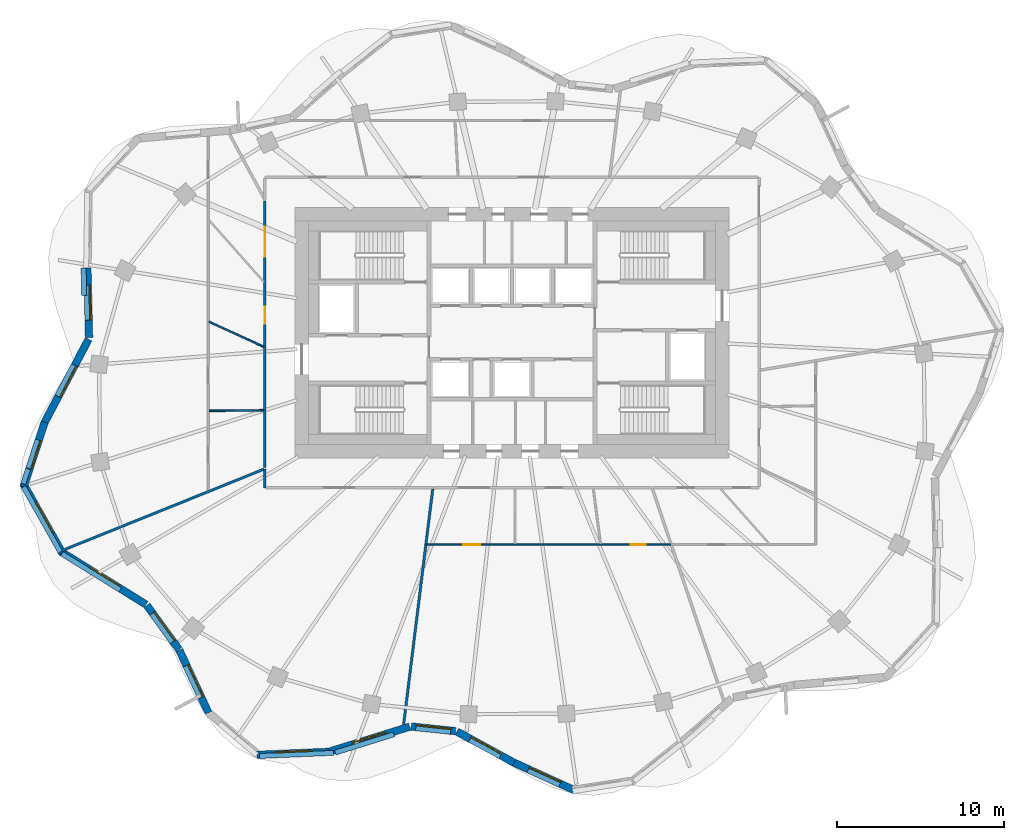
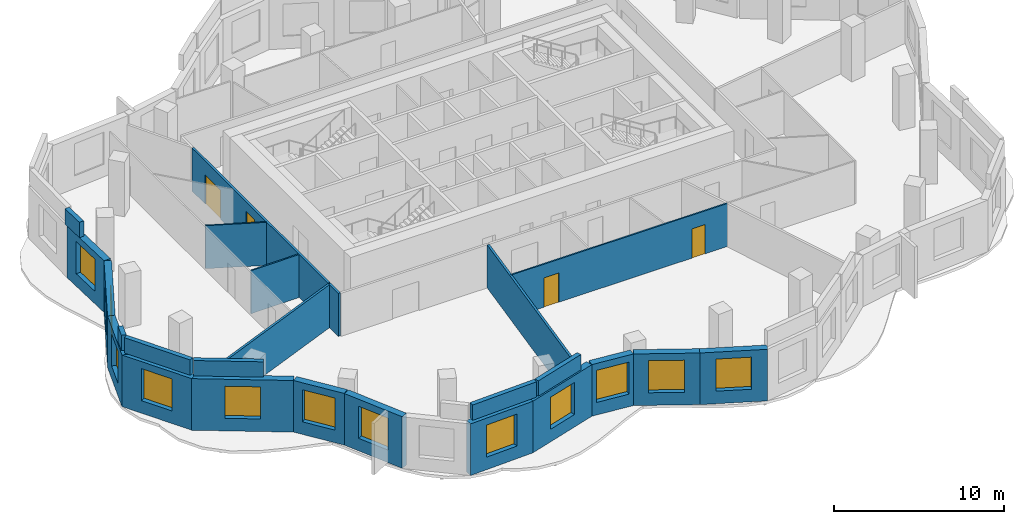
# One storey, part 3 of 9: 25 walls, 12 windows, 4 doors, 16 openings.
"""IFC4 building model written with IfcOpenShell, lengths in metres."""

from ifc_helpers import new_model, si_unit, direction, frame, frame_2d, origin, place, context, subcontext, project, spatial, rectangle, extrude, material, layer, layer_set, type_object, element, fill, save


model = new_model("IFC4")

# Units and contexts
model_context = context("Model", 3, precision=1e-05, world=origin(), true_north=direction((0.0, 1.0)))
body_context = subcontext(model_context, "Body", "Model", "MODEL_VIEW")
ifc_project = project(units=[si_unit("LENGTHUNIT", "METRE"), si_unit("AREAUNIT", "SQUARE_METRE"), si_unit("VOLUMEUNIT", "CUBIC_METRE"), si_unit("PLANEANGLEUNIT", "RADIAN"), si_unit("MASSUNIT", "GRAM", prefix="KILO")], contexts=[model_context])

# Site, building, storey
site_placement = place(None, origin())
site = spatial("IfcSite", under=ifc_project, at=site_placement, CompositionType="ELEMENT")
building_placement = place(site_placement, origin())
building = spatial("IfcBuilding", under=site, at=building_placement, Name="Rubra Terraces Tower", CompositionType="ELEMENT")
storey_placement = place(building_placement, frame((0.0, 0.0, 244.800048828125)))
storey = spatial("IfcBuildingStorey", under=building, at=storey_placement, Name="L60", CompositionType="ELEMENT", Elevation=244.800048828125)

# Wall, opening, window
ifc_material_1 = material(Name="Brick masonry red-brown", Category="masonry")
ifc_layer_1 = layer(ifc_material_1, 0.449951171875)
ifc_layer_set_1 = layer_set([ifc_layer_1], Name="Brick masonry red-brown")
wall_type_1 = type_object("IfcWallType", Name="Brick facade wall 450", PredefinedType="SOLIDWALL", material=ifc_layer_set_1)
wall_1_placement = place(storey_placement, frame((-25.44091796875, 8.375, 0.0), z_axis=(0.0, 0.0, 1.0), x_axis=(0.024385850259, -0.999702620936, 0.0)))
wall_1 = element("IfcWall", 1, at=wall_1_placement, inside=storey, type_object=wall_type_1, Name="Facade wall L60 bay 19", PredefinedType="SOLIDWALL", context=body_context, shape_type="SweptSolid", body=[
    extrude(rectangle(XDim=4.164794921875, YDim=0.449951171875, at=frame_2d((2.08251953125, 0.0))), origin(), (0.0, 0.0, 1.0), 3.699951171875),
])
opening_1_placement = place(wall_1_placement, frame((1.032470703125, 0.0, 0.89990234375)))
opening_1 = element("IfcOpeningElement", 2, at=opening_1_placement, cuts=wall_1, Name="Opening W1B", PredefinedType="OPENING", context=body_context, shape_type="SweptSolid", body=[
    extrude(rectangle(XDim=2.10009765625, YDim=2.300048828125, at=frame_2d((1.050048828125, 1.14990234375))), frame((0.0, 0.23486328125, 0.0), z_axis=(0.0, -1.0, 0.0), x_axis=(1.0, 0.0, 0.0)), (0.0, 0.0, 1.0), 0.469970703125),
])
ifc_material_2 = material(Name="Clear glass in aluminium frame", Category="aluminium")
window_type_1 = type_object("IfcWindowType", Name="Fixed deep-set window tall storey 2100 x 2300", PartitioningType="SINGLE_PANEL", PredefinedType="WINDOW", material=ifc_material_2)
window_1_placement = place(opening_1_placement, origin())
window_1 = element("IfcWindow", 3, at=window_1_placement, inside=storey, type_object=window_type_1, Name="Window L60 bay 19", OverallHeight=2.300048828125, OverallWidth=2.10009765625, PartitioningType="SINGLE_PANEL", PredefinedType="WINDOW", context=body_context, shape_type="SweptSolid", body=[
    extrude(rectangle(XDim=2.10009765625, YDim=2.300048828125, at=frame_2d((1.050048828125, 1.14990234375))), frame((0.0, 0.135009765625, 0.0), z_axis=(0.0, -1.0, 0.0), x_axis=(1.0, 0.0, 0.0)), (0.0, 0.0, 1.0), 0.06005859375),
])
fill(opening_1, window_1)

wall_2_placement = place(storey_placement, frame((-25.365478515625, 4.10693359375, 0.0), z_axis=(0.0, 0.0, 1.0), x_axis=(-0.467239399168, -0.884130840919, 0.0)))
wall_2 = element("IfcWall", 4, at=wall_2_placement, inside=storey, type_object=wall_type_1, Name="Facade wall L60 bay 20", PredefinedType="SOLIDWALL", context=body_context, shape_type="SweptSolid", body=[
    extrude(rectangle(XDim=5.658935546875, YDim=0.449951171875, at=frame_2d((2.82958984375, 0.0))), origin(), (0.0, 0.0, 1.0), 3.699951171875),
])
opening_2_placement = place(wall_2_placement, frame((1.779296875, 0.0, 0.89990234375)))
opening_2 = element("IfcOpeningElement", 5, at=opening_2_placement, cuts=wall_2, Name="Opening W1B", PredefinedType="OPENING", context=body_context, shape_type="SweptSolid", body=[
    extrude(rectangle(XDim=2.10009765625, YDim=2.300048828125, at=frame_2d((1.050048828125, 1.14990234375))), frame((0.0, 0.23486328125, 0.0), z_axis=(0.0, -1.0, 0.0), x_axis=(1.0, 0.0, 0.0)), (0.0, 0.0, 1.0), 0.469970703125),
])
window_2_placement = place(opening_2_placement, origin())
window_2 = element("IfcWindow", 6, at=window_2_placement, inside=storey, type_object=window_type_1, Name="Window L60 bay 20", OverallHeight=2.300048828125, OverallWidth=2.10009765625, PartitioningType="SINGLE_PANEL", PredefinedType="WINDOW", context=body_context, shape_type="SweptSolid", body=[
    extrude(rectangle(XDim=2.10009765625, YDim=2.300048828125, at=frame_2d((1.050048828125, 1.14990234375))), frame((0.0, 0.135009765625, 0.0), z_axis=(0.0, -1.0, 0.0), x_axis=(1.0, 0.0, 0.0)), (0.0, 0.0, 1.0), 0.06005859375),
])
fill(opening_2, window_2)

wall_3_placement = place(storey_placement, frame((-27.99462890625, -0.861083984375, 0.0), z_axis=(0.0, 0.0, 1.0), x_axis=(-0.310693110673, -0.950510279261, 0.0)))
wall_3 = element("IfcWall", 7, at=wall_3_placement, inside=storey, type_object=wall_type_1, Name="Facade wall L60 bay 21", PredefinedType="SOLIDWALL", context=body_context, shape_type="SweptSolid", body=[
    extrude(rectangle(XDim=4.079833984375, YDim=0.449951171875, at=frame_2d((2.0400390625, 0.0))), origin(), (0.0, 0.0, 1.0), 3.699951171875),
])
opening_3_placement = place(wall_3_placement, frame((1.139892578125, 0.0, 0.89990234375)))
opening_3 = element("IfcOpeningElement", 8, at=opening_3_placement, cuts=wall_3, Name="Opening W6B", PredefinedType="OPENING", context=body_context, shape_type="SweptSolid", body=[
    extrude(rectangle(XDim=1.800048828125, YDim=2.300048828125, at=frame_2d((0.89990234375, 1.14990234375))), frame((0.0, 0.23486328125, 0.0), z_axis=(0.0, -1.0, 0.0), x_axis=(1.0, 0.0, 0.0)), (0.0, 0.0, 1.0), 0.469970703125),
])
window_type_2 = type_object("IfcWindowType", Name="Fixed deep-set window at wind fin tall storey 1800 x 2300", PartitioningType="SINGLE_PANEL", PredefinedType="WINDOW", material=ifc_material_2)
window_3_placement = place(opening_3_placement, origin())
window_3 = element("IfcWindow", 9, at=window_3_placement, inside=storey, type_object=window_type_2, Name="Window L60 bay 21", OverallHeight=2.300048828125, OverallWidth=1.800048828125, PartitioningType="SINGLE_PANEL", PredefinedType="WINDOW", context=body_context, shape_type="SweptSolid", body=[
    extrude(rectangle(XDim=1.800048828125, YDim=2.300048828125, at=frame_2d((0.89990234375, 1.14990234375))), frame((0.0, 0.135009765625, 0.0), z_axis=(0.0, -1.0, 0.0), x_axis=(1.0, 0.0, 0.0)), (0.0, 0.0, 1.0), 0.06005859375),
])
fill(opening_3, window_3)

wall_4_placement = place(storey_placement, frame((-29.280029296875, -4.558349609375, 0.0), z_axis=(0.0, 0.0, 1.0), x_axis=(0.491511608999, -0.870871022723, 0.0)))
wall_4 = element("IfcWall", 10, at=wall_4_placement, inside=storey, type_object=wall_type_1, Name="Facade wall L60 bay 22", PredefinedType="SOLIDWALL", context=body_context, shape_type="SweptSolid", body=[
    extrude(rectangle(XDim=4.762939453125, YDim=0.449951171875, at=frame_2d((2.38134765625, 0.0))), origin(), (0.0, 0.0, 1.0), 3.699951171875),
])
opening_4_placement = place(wall_4_placement, frame((1.33154296875, 0.0, 0.89990234375)))
opening_4 = element("IfcOpeningElement", 11, at=opening_4_placement, cuts=wall_4, Name="Opening W1B", PredefinedType="OPENING", context=body_context, shape_type="SweptSolid", body=[
    extrude(rectangle(XDim=2.10009765625, YDim=2.300048828125, at=frame_2d((1.050048828125, 1.14990234375))), frame((0.0, 0.23486328125, 0.0), z_axis=(0.0, -1.0, 0.0), x_axis=(1.0, 0.0, 0.0)), (0.0, 0.0, 1.0), 0.469970703125),
])
window_4_placement = place(opening_4_placement, origin())
window_4 = element("IfcWindow", 12, at=window_4_placement, inside=storey, type_object=window_type_1, Name="Window L60 bay 22", OverallHeight=2.300048828125, OverallWidth=2.10009765625, PartitioningType="SINGLE_PANEL", PredefinedType="WINDOW", context=body_context, shape_type="SweptSolid", body=[
    extrude(rectangle(XDim=2.10009765625, YDim=2.300048828125, at=frame_2d((1.050048828125, 1.14990234375))), frame((0.0, 0.135009765625, 0.0), z_axis=(0.0, -1.0, 0.0), x_axis=(1.0, 0.0, 0.0)), (0.0, 0.0, 1.0), 0.06005859375),
])
fill(opening_4, window_4)

wall_5_placement = place(storey_placement, frame((-27.01611328125, -8.6259765625, 0.0), z_axis=(0.0, 0.0, 1.0), x_axis=(0.849198377377, -0.528073968172, 0.0)))
wall_5 = element("IfcWall", 13, at=wall_5_placement, inside=storey, type_object=wall_type_1, Name="Facade wall L60 bay 23", PredefinedType="SOLIDWALL", context=body_context, shape_type="SweptSolid", body=[
    extrude(rectangle(XDim=5.989501953125, YDim=0.449951171875, at=frame_2d((2.99462890625, 0.0))), origin(), (0.0, 0.0, 1.0), 3.699951171875),
])
opening_5_placement = place(wall_5_placement, frame((1.944580078125, 0.0, 0.89990234375)))
opening_5 = element("IfcOpeningElement", 14, at=opening_5_placement, cuts=wall_5, Name="Opening W1B", PredefinedType="OPENING", context=body_context, shape_type="SweptSolid", body=[
    extrude(rectangle(XDim=2.10009765625, YDim=2.300048828125, at=frame_2d((1.050048828125, 1.14990234375))), frame((0.0, 0.23486328125, 0.0), z_axis=(0.0, -1.0, 0.0), x_axis=(1.0, 0.0, 0.0)), (0.0, 0.0, 1.0), 0.469970703125),
])
window_5_placement = place(opening_5_placement, origin())
window_5 = element("IfcWindow", 15, at=window_5_placement, inside=storey, type_object=window_type_1, Name="Window L60 bay 23", OverallHeight=2.300048828125, OverallWidth=2.10009765625, PartitioningType="SINGLE_PANEL", PredefinedType="WINDOW", context=body_context, shape_type="SweptSolid", body=[
    extrude(rectangle(XDim=2.10009765625, YDim=2.300048828125, at=frame_2d((1.050048828125, 1.14990234375))), frame((0.0, 0.135009765625, 0.0), z_axis=(0.0, -1.0, 0.0), x_axis=(1.0, 0.0, 0.0)), (0.0, 0.0, 1.0), 0.06005859375),
])
fill(opening_5, window_5)

wall_6_placement = place(storey_placement, frame((-21.872314453125, -11.840576171875, 0.0), z_axis=(0.0, 0.0, 1.0), x_axis=(0.587562050363, -0.809179113036, 0.0)))
wall_6 = element("IfcWall", 16, at=wall_6_placement, inside=storey, type_object=wall_type_1, Name="Facade wall L60 bay 24", PredefinedType="SOLIDWALL", context=body_context, shape_type="SweptSolid", body=[
    extrude(rectangle(XDim=3.262939453125, YDim=0.449951171875, at=frame_2d((1.63134765625, 0.0))), origin(), (0.0, 0.0, 1.0), 3.699951171875),
])
opening_6_placement = place(wall_6_placement, frame((0.58154296875, 0.0, 0.89990234375)))
opening_6 = element("IfcOpeningElement", 17, at=opening_6_placement, cuts=wall_6, Name="Opening W1B", PredefinedType="OPENING", context=body_context, shape_type="SweptSolid", body=[
    extrude(rectangle(XDim=2.10009765625, YDim=2.300048828125, at=frame_2d((1.050048828125, 1.14990234375))), frame((0.0, 0.23486328125, 0.0), z_axis=(0.0, -1.0, 0.0), x_axis=(1.0, 0.0, 0.0)), (0.0, 0.0, 1.0), 0.469970703125),
])
window_6_placement = place(opening_6_placement, origin())
window_6 = element("IfcWindow", 18, at=window_6_placement, inside=storey, type_object=window_type_1, Name="Window L60 bay 24", OverallHeight=2.300048828125, OverallWidth=2.10009765625, PartitioningType="SINGLE_PANEL", PredefinedType="WINDOW", context=body_context, shape_type="SweptSolid", body=[
    extrude(rectangle(XDim=2.10009765625, YDim=2.300048828125, at=frame_2d((1.050048828125, 1.14990234375))), frame((0.0, 0.135009765625, 0.0), z_axis=(0.0, -1.0, 0.0), x_axis=(1.0, 0.0, 0.0)), (0.0, 0.0, 1.0), 0.06005859375),
])
fill(opening_6, window_6)

wall_7_placement = place(storey_placement, frame((-19.9306640625, -14.519287109375, 0.0), z_axis=(0.0, 0.0, 1.0), x_axis=(0.421138964136, -0.906996126169, 0.0)))
wall_7 = element("IfcWall", 19, at=wall_7_placement, inside=storey, type_object=wall_type_1, Name="Facade wall L60 bay 25", PredefinedType="SOLIDWALL", context=body_context, shape_type="SweptSolid", body=[
    extrude(rectangle(XDim=4.149658203125, YDim=0.449951171875, at=frame_2d((2.07470703125, 0.0))), origin(), (0.0, 0.0, 1.0), 3.699951171875),
])
opening_7_placement = place(wall_7_placement, frame((1.02490234375, 0.0, 0.89990234375)))
opening_7 = element("IfcOpeningElement", 20, at=opening_7_placement, cuts=wall_7, Name="Opening W1B", PredefinedType="OPENING", context=body_context, shape_type="SweptSolid", body=[
    extrude(rectangle(XDim=2.10009765625, YDim=2.300048828125, at=frame_2d((1.050048828125, 1.14990234375))), frame((0.0, 0.23486328125, 0.0), z_axis=(0.0, -1.0, 0.0), x_axis=(1.0, 0.0, 0.0)), (0.0, 0.0, 1.0), 0.469970703125),
])
window_7_placement = place(opening_7_placement, origin())
window_7 = element("IfcWindow", 21, at=window_7_placement, inside=storey, type_object=window_type_1, Name="Window L60 bay 25", OverallHeight=2.300048828125, OverallWidth=2.10009765625, PartitioningType="SINGLE_PANEL", PredefinedType="WINDOW", context=body_context, shape_type="SweptSolid", body=[
    extrude(rectangle(XDim=2.10009765625, YDim=2.300048828125, at=frame_2d((1.050048828125, 1.14990234375))), frame((0.0, 0.135009765625, 0.0), z_axis=(0.0, -1.0, 0.0), x_axis=(1.0, 0.0, 0.0)), (0.0, 0.0, 1.0), 0.06005859375),
])
fill(opening_7, window_7)

wall_8_placement = place(storey_placement, frame((-15.283447265625, -20.798095703125, 0.0), z_axis=(0.0, 0.0, 1.0), x_axis=(0.999108814386, 0.042208731526, 0.0)))
wall_8 = element("IfcWall", 22, at=wall_8_placement, inside=storey, type_object=wall_type_1, Name="Facade wall L60 bay 27", PredefinedType="SOLIDWALL", context=body_context, shape_type="SweptSolid", body=[
    extrude(rectangle(XDim=4.338134765625, YDim=0.449951171875, at=frame_2d((2.1689453125, 0.0))), origin(), (0.0, 0.0, 1.0), 3.699951171875),
])
opening_8_placement = place(wall_8_placement, frame((1.119140625, 0.0, 0.89990234375)))
opening_8 = element("IfcOpeningElement", 23, at=opening_8_placement, cuts=wall_8, Name="Opening W1B", PredefinedType="OPENING", context=body_context, shape_type="SweptSolid", body=[
    extrude(rectangle(XDim=2.10009765625, YDim=2.300048828125, at=frame_2d((1.050048828125, 1.14990234375))), frame((0.0, 0.23486328125, 0.0), z_axis=(0.0, -1.0, 0.0), x_axis=(1.0, 0.0, 0.0)), (0.0, 0.0, 1.0), 0.469970703125),
])
window_8_placement = place(opening_8_placement, origin())
window_8 = element("IfcWindow", 24, at=window_8_placement, inside=storey, type_object=window_type_1, Name="Window L60 bay 27", OverallHeight=2.300048828125, OverallWidth=2.10009765625, PartitioningType="SINGLE_PANEL", PredefinedType="WINDOW", context=body_context, shape_type="SweptSolid", body=[
    extrude(rectangle(XDim=2.10009765625, YDim=2.300048828125, at=frame_2d((1.050048828125, 1.14990234375))), frame((0.0, 0.135009765625, 0.0), z_axis=(0.0, -1.0, 0.0), x_axis=(1.0, 0.0, 0.0)), (0.0, 0.0, 1.0), 0.06005859375),
])
fill(opening_8, window_8)

wall_9_placement = place(storey_placement, frame((-11.006591796875, -20.625, 0.0), z_axis=(0.0, 0.0, 1.0), x_axis=(0.954949254112, 0.296769139352, 0.0)))
wall_9 = element("IfcWall", 25, at=wall_9_placement, inside=storey, type_object=wall_type_1, Name="Facade wall L60 bay 28", PredefinedType="SOLIDWALL", context=body_context, shape_type="SweptSolid", body=[
    extrude(rectangle(XDim=5.106201171875, YDim=0.449951171875, at=frame_2d((2.55322265625, 0.0))), origin(), (0.0, 0.0, 1.0), 3.699951171875),
])
opening_9_placement = place(wall_9_placement, frame((1.503173828125, 0.0, 0.89990234375)))
opening_9 = element("IfcOpeningElement", 26, at=opening_9_placement, cuts=wall_9, Name="Opening W1B", PredefinedType="OPENING", context=body_context, shape_type="SweptSolid", body=[
    extrude(rectangle(XDim=2.10009765625, YDim=2.300048828125, at=frame_2d((1.050048828125, 1.14990234375))), frame((0.0, 0.23486328125, 0.0), z_axis=(0.0, -1.0, 0.0), x_axis=(1.0, 0.0, 0.0)), (0.0, 0.0, 1.0), 0.469970703125),
])
window_9_placement = place(opening_9_placement, origin())
window_9 = element("IfcWindow", 27, at=window_9_placement, inside=storey, type_object=window_type_1, Name="Window L60 bay 28", OverallHeight=2.300048828125, OverallWidth=2.10009765625, PartitioningType="SINGLE_PANEL", PredefinedType="WINDOW", context=body_context, shape_type="SweptSolid", body=[
    extrude(rectangle(XDim=2.10009765625, YDim=2.300048828125, at=frame_2d((1.050048828125, 1.14990234375))), frame((0.0, 0.135009765625, 0.0), z_axis=(0.0, -1.0, 0.0), x_axis=(1.0, 0.0, 0.0)), (0.0, 0.0, 1.0), 0.06005859375),
])
fill(opening_9, window_9)

wall_10_placement = place(storey_placement, frame((-6.040283203125, -19.1005859375, 0.0), z_axis=(0.0, 0.0, 1.0), x_axis=(0.994675968472, -0.103052014752, 0.0)))
wall_10 = element("IfcWall", 28, at=wall_10_placement, inside=storey, type_object=wall_type_1, Name="Facade wall L60 bay 29", PredefinedType="SOLIDWALL", context=body_context, shape_type="SweptSolid", body=[
    extrude(rectangle(XDim=2.669921875, YDim=0.449951171875, at=frame_2d((1.3349609375, 0.0))), origin(), (0.0, 0.0, 1.0), 3.699951171875),
])
opening_10_placement = place(wall_10_placement, frame((0.284912109375, 0.0, 0.89990234375)))
opening_10 = element("IfcOpeningElement", 29, at=opening_10_placement, cuts=wall_10, Name="Opening W1B", PredefinedType="OPENING", context=body_context, shape_type="SweptSolid", body=[
    extrude(rectangle(XDim=2.10009765625, YDim=2.300048828125, at=frame_2d((1.050048828125, 1.14990234375))), frame((0.0, 0.23486328125, 0.0), z_axis=(0.0, -1.0, 0.0), x_axis=(1.0, 0.0, 0.0)), (0.0, 0.0, 1.0), 0.469970703125),
])
window_10_placement = place(opening_10_placement, origin())
window_10 = element("IfcWindow", 30, at=window_10_placement, inside=storey, type_object=window_type_1, Name="Window L60 bay 29", OverallHeight=2.300048828125, OverallWidth=2.10009765625, PartitioningType="SINGLE_PANEL", PredefinedType="WINDOW", context=body_context, shape_type="SweptSolid", body=[
    extrude(rectangle(XDim=2.10009765625, YDim=2.300048828125, at=frame_2d((1.050048828125, 1.14990234375))), frame((0.0, 0.135009765625, 0.0), z_axis=(0.0, -1.0, 0.0), x_axis=(1.0, 0.0, 0.0)), (0.0, 0.0, 1.0), 0.06005859375),
])
fill(opening_10, window_10)

wall_11_placement = place(storey_placement, frame((-3.302001953125, -19.40087890625, 0.0), z_axis=(0.0, 0.0, 1.0), x_axis=(0.878060540763, -0.47854956562, 0.0)))
wall_11 = element("IfcWall", 31, at=wall_11_placement, inside=storey, type_object=wall_type_1, Name="Facade wall L60 bay 30", PredefinedType="SOLIDWALL", context=body_context, shape_type="SweptSolid", body=[
    extrude(rectangle(XDim=3.9013671875, YDim=0.449951171875, at=frame_2d((1.95068359375, 0.0))), origin(), (0.0, 0.0, 1.0), 3.699951171875),
])
opening_11_placement = place(wall_11_placement, frame((0.900634765625, 0.0, 0.89990234375)))
opening_11 = element("IfcOpeningElement", 32, at=opening_11_placement, cuts=wall_11, Name="Opening W1B", PredefinedType="OPENING", context=body_context, shape_type="SweptSolid", body=[
    extrude(rectangle(XDim=2.10009765625, YDim=2.300048828125, at=frame_2d((1.050048828125, 1.14990234375))), frame((0.0, 0.23486328125, 0.0), z_axis=(0.0, -1.0, 0.0), x_axis=(1.0, 0.0, 0.0)), (0.0, 0.0, 1.0), 0.469970703125),
])
window_11_placement = place(opening_11_placement, origin())
window_11 = element("IfcWindow", 33, at=window_11_placement, inside=storey, type_object=window_type_1, Name="Window L60 bay 30", OverallHeight=2.300048828125, OverallWidth=2.10009765625, PartitioningType="SINGLE_PANEL", PredefinedType="WINDOW", context=body_context, shape_type="SweptSolid", body=[
    extrude(rectangle(XDim=2.10009765625, YDim=2.300048828125, at=frame_2d((1.050048828125, 1.14990234375))), frame((0.0, 0.135009765625, 0.0), z_axis=(0.0, -1.0, 0.0), x_axis=(1.0, 0.0, 0.0)), (0.0, 0.0, 1.0), 0.06005859375),
])
fill(opening_11, window_11)

wall_12_placement = place(storey_placement, frame((0.109130859375, -21.260986328125, 0.0), z_axis=(0.0, 0.0, 1.0), x_axis=(0.910040573706, -0.414519184367, 0.0)))
wall_12 = element("IfcWall", 34, at=wall_12_placement, inside=storey, type_object=wall_type_1, Name="Facade wall L60 bay 31", PredefinedType="SOLIDWALL", context=body_context, shape_type="SweptSolid", body=[
    extrude(rectangle(XDim=4.005615234375, YDim=0.449951171875, at=frame_2d((2.0029296875, 0.0))), origin(), (0.0, 0.0, 1.0), 3.699951171875),
])
opening_12_placement = place(wall_12_placement, frame((0.952880859375, 0.0, 0.89990234375)))
opening_12 = element("IfcOpeningElement", 35, at=opening_12_placement, cuts=wall_12, Name="Opening W1B", PredefinedType="OPENING", context=body_context, shape_type="SweptSolid", body=[
    extrude(rectangle(XDim=2.10009765625, YDim=2.300048828125, at=frame_2d((1.050048828125, 1.14990234375))), frame((0.0, 0.23486328125, 0.0), z_axis=(0.0, -1.0, 0.0), x_axis=(1.0, 0.0, 0.0)), (0.0, 0.0, 1.0), 0.469970703125),
])
window_12_placement = place(opening_12_placement, origin())
window_12 = element("IfcWindow", 36, at=window_12_placement, inside=storey, type_object=window_type_1, Name="Window L60 bay 31", OverallHeight=2.300048828125, OverallWidth=2.10009765625, PartitioningType="SINGLE_PANEL", PredefinedType="WINDOW", context=body_context, shape_type="SweptSolid", body=[
    extrude(rectangle(XDim=2.10009765625, YDim=2.300048828125, at=frame_2d((1.050048828125, 1.14990234375))), frame((0.0, 0.135009765625, 0.0), z_axis=(0.0, -1.0, 0.0), x_axis=(1.0, 0.0, 0.0)), (0.0, 0.0, 1.0), 0.06005859375),
])
fill(opening_12, window_12)

# Walls
ifc_layer_2 = layer(ifc_material_1, 0.300048828125)
ifc_layer_set_2 = layer_set([ifc_layer_2], Name="Brick masonry red-brown")
wall_type_2 = type_object("IfcWallType", Name="Brick parapet 300", PredefinedType="PARAPET", material=ifc_layer_set_2)
wall_13_placement = place(storey_placement, frame((-25.665771484375, 8.375732421875, 3.89990234375), z_axis=(0.0, 0.0, 1.0), x_axis=(0.024357650064, -0.999703308429, 0.0)))
element("IfcWall", 37, at=wall_13_placement, inside=storey, type_object=wall_type_2, Name="Parapet L60 bay 19", PredefinedType="PARAPET", context=body_context, shape_type="SweptSolid", body=[
    extrude(rectangle(XDim=1.643798828125, YDim=0.300048828125, at=frame_2d((0.82177734375, 0.0))), origin(), (0.0, 0.0, 1.0), 1.10009765625),
])
wall_14_placement = place(storey_placement, frame((-28.987548828125, -3.657470703125, 3.89990234375), z_axis=(0.0, 0.0, 1.0), x_axis=(-0.310832502734, -0.950464704891, 0.0)))
element("IfcWall", 38, at=wall_14_placement, inside=storey, type_object=wall_type_2, Name="Parapet L60 bay 21", PredefinedType="PARAPET", context=body_context, shape_type="SweptSolid", body=[
    extrude(rectangle(XDim=0.951171875, YDim=0.300048828125, at=frame_2d((0.4755859375, 0.0))), origin(), (0.0, 0.0, 1.0), 1.10009765625),
])
wall_15_placement = place(storey_placement, frame((-29.265625, -4.736572265625, 3.89990234375), z_axis=(0.0, 0.0, 1.0), x_axis=(0.491480740547, -0.870888443873, 0.0)))
element("IfcWall", 39, at=wall_15_placement, inside=storey, type_object=wall_type_2, Name="Parapet L60 bay 22", PredefinedType="PARAPET", context=body_context, shape_type="SweptSolid", body=[
    extrude(rectangle(XDim=4.494140625, YDim=0.300048828125, at=frame_2d((2.2470703125, 0.0))), origin(), (0.0, 0.0, 1.0), 1.10009765625),
])
wall_16_placement = place(storey_placement, frame((-26.965087890625, -8.74609375, 3.89990234375), z_axis=(0.0, 0.0, 1.0), x_axis=(0.849203312007, -0.528066032686, 0.0)))
element("IfcWall", 40, at=wall_16_placement, inside=storey, type_object=wall_type_2, Name="Parapet L60 bay 23", PredefinedType="PARAPET", context=body_context, shape_type="SweptSolid", body=[
    extrude(rectangle(XDim=4.11279296875, YDim=0.300048828125, at=frame_2d((2.056396484375, 0.0))), origin(), (0.0, 0.0, 1.0), 1.10009765625),
])
wall_17_placement = place(storey_placement, frame((-15.133056640625, -20.866943359375, 3.89990234375), z_axis=(0.0, 0.0, 1.0), x_axis=(0.999109914186, 0.042182690458, 0.0)))
element("IfcWall", 41, at=wall_17_placement, inside=storey, type_object=wall_type_2, Name="Parapet L60 bay 27", PredefinedType="PARAPET", context=body_context, shape_type="SweptSolid", body=[
    extrude(rectangle(XDim=4.45068359375, YDim=0.300048828125, at=frame_2d((2.225341796875, 0.0))), origin(), (0.0, 0.0, 1.0), 1.10009765625),
])
wall_18_placement = place(storey_placement, frame((-10.589599609375, -20.662353515625, 3.89990234375), z_axis=(0.0, 0.0, 1.0), x_axis=(0.954933257017, 0.296820610207, 0.0)))
element("IfcWall", 42, at=wall_18_placement, inside=storey, type_object=wall_type_2, Name="Parapet L60 bay 28", PredefinedType="PARAPET", context=body_context, shape_type="SweptSolid", body=[
    extrude(rectangle(XDim=3.6806640625, YDim=0.300048828125, at=frame_2d((1.84033203125, 0.0))), origin(), (0.0, 0.0, 1.0), 1.10009765625),
])
ifc_material_3 = material(Name="Plasterboard on steel stud, mineral wool infill", Category="steel")
ifc_layer_3 = layer(ifc_material_3, 0.14990234375)
ifc_layer_set_3 = layer_set([ifc_layer_3], Name="Plasterboard on steel stud, mineral wool infill")
wall_type_3 = type_object("IfcWallType", Name="CORRIDOR PARTITION 150", PredefinedType="PARTITIONING", material=ifc_layer_set_3)
wall_19_placement = place(storey_placement, frame((-14.800048828125, -3.65673828125, 0.0), z_axis=(0.0, 0.0, 1.0), x_axis=(0.0, -1.0, 0.0)))
element("IfcWall", 43, at=wall_19_placement, inside=storey, type_object=wall_type_3, Name="PARTITION", PredefinedType="PARTITIONING", context=body_context, shape_type="SweptSolid", body=[
    extrude(rectangle(XDim=1.143310546875, YDim=0.14990234375, at=frame_2d((0.57177734375, 0.0))), origin(), (0.0, 0.0, 1.0), 3.083984375),
])

# Wall, openings, doors
wall_20_placement = place(storey_placement, frame((-14.800048828125, 12.3759765625, 0.0), z_axis=(0.0, 0.0, 1.0), x_axis=(0.0, -1.0, 0.0)))
wall_20 = element("IfcWall", 44, at=wall_20_placement, inside=storey, type_object=wall_type_3, Name="PARTITION", PredefinedType="PARTITIONING", context=body_context, shape_type="SweptSolid", body=[
    extrude(rectangle(XDim=15.957763671875, YDim=0.14990234375, at=frame_2d((7.97900390625, 0.0))), origin(), (0.0, 0.0, 1.0), 3.083984375),
])
opening_13_placement = place(wall_20_placement, frame((1.52099609375, 0.0, 0.0)))
opening_13 = element("IfcOpeningElement", 45, at=opening_13_placement, cuts=wall_20, Name="Opening 60-115", PredefinedType="OPENING", context=body_context, shape_type="SweptSolid", body=[
    extrude(rectangle(XDim=1.800048828125, YDim=2.10009765625, at=frame_2d((0.89990234375, 1.050048828125))), frame((0.0, 0.0849609375, 0.0), z_axis=(0.0, -1.0, 0.0), x_axis=(1.0, 0.0, 0.0)), (0.0, 0.0, 1.0), 0.169921875),
])
opening_14_placement = place(wall_20_placement, frame((6.337890625, 0.0, 0.0)))
opening_14 = element("IfcOpeningElement", 46, at=opening_14_placement, cuts=wall_20, Name="Opening 60-117", PredefinedType="OPENING", context=body_context, shape_type="SweptSolid", body=[
    extrude(rectangle(XDim=1.0, YDim=2.39990234375, at=frame_2d((0.5, 1.199951171875))), frame((0.0, 0.0849609375, 0.0), z_axis=(0.0, -1.0, 0.0), x_axis=(1.0, 0.0, 0.0)), (0.0, 0.0, 1.0), 0.169921875),
])
ifc_material_4 = material(Name="Glazed aluminium meeting door leaf", Category="aluminium")
door_type_1 = type_object("IfcDoorType", Name="MEETING ROOM GLAZED DOOR 1000 X 2400", OperationType="SINGLE_SWING_LEFT", PredefinedType="DOOR", material=ifc_material_4)
door_1_placement = place(opening_14_placement, origin())
door_1 = element("IfcDoor", 47, at=door_1_placement, inside=storey, type_object=door_type_1, Name="DOOR 60-117", OperationType="SINGLE_SWING_RIGHT", OverallHeight=2.39990234375, OverallWidth=1.0, PredefinedType="DOOR", context=body_context, shape_type="SweptSolid", body=[
    extrude(rectangle(XDim=1.0, YDim=2.39990234375, at=frame_2d((0.5, 1.199951171875))), frame((0.0, 0.02490234375, 0.0), z_axis=(0.0, -1.0, 0.0), x_axis=(1.0, 0.0, 0.0)), (0.0, 0.0, 1.0), 0.050048828125),
])
fill(opening_14, door_1)
ifc_material_5 = material(Name="Painted timber door leaf, double", Category="wood")
door_type_2 = type_object("IfcDoorType", Name="ROOM DOUBLE DOOR 1800 X 2100", OperationType="DOUBLE_DOOR_SINGLE_SWING", PredefinedType="DOOR", material=ifc_material_5)
door_2_placement = place(opening_13_placement, origin())
door_2 = element("IfcDoor", 48, at=door_2_placement, inside=storey, type_object=door_type_2, Name="DOOR 60-115", OperationType="DOUBLE_DOOR_SINGLE_SWING", OverallHeight=2.10009765625, OverallWidth=1.800048828125, PredefinedType="DOOR", context=body_context, shape_type="SweptSolid", body=[
    extrude(rectangle(XDim=1.800048828125, YDim=2.10009765625, at=frame_2d((0.89990234375, 1.050048828125))), frame((0.0, 0.02490234375, 0.0), z_axis=(0.0, -1.0, 0.0), x_axis=(1.0, 0.0, 0.0)), (0.0, 0.0, 1.0), 0.050048828125),
])
fill(opening_13, door_2)

ifc_material_6 = material(Name="Plasterboard on steel stud", Category="steel")
ifc_layer_4 = layer(ifc_material_6, 0.10009765625)
ifc_layer_set_4 = layer_set([ifc_layer_4], Name="Plasterboard on steel stud")
wall_type_4 = type_object("IfcWallType", Name="ROOM PARTITION 100", PredefinedType="PARTITIONING", material=ifc_layer_set_4)
wall_21_placement = place(storey_placement, frame((9.51806640625, -8.199951171875, 0.0), z_axis=(0.0, 0.0, 1.0), x_axis=(-1.0, 0.0, 0.0)))
wall_21 = element("IfcWall", 49, at=wall_21_placement, inside=storey, type_object=wall_type_4, Name="PARTITION", PredefinedType="PARTITIONING", context=body_context, shape_type="SweptSolid", body=[
    extrude(rectangle(XDim=14.656982421875, YDim=0.10009765625, at=frame_2d((7.32861328125, 0.0))), origin(), (0.0, 0.0, 1.0), 3.083984375),
])
opening_15_placement = place(wall_21_placement, frame((11.43505859375, 0.0, 0.0)))
opening_15 = element("IfcOpeningElement", 50, at=opening_15_placement, cuts=wall_21, Name="Opening 60-103", PredefinedType="OPENING", context=body_context, shape_type="SweptSolid", body=[
    extrude(rectangle(XDim=1.0, YDim=2.10009765625, at=frame_2d((0.5, 1.050048828125))), frame((0.0, 0.06005859375, 0.0), z_axis=(0.0, -1.0, 0.0), x_axis=(1.0, 0.0, 0.0)), (0.0, 0.0, 1.0), 0.1201171875),
])
opening_16_placement = place(wall_21_placement, frame((1.513916015625, 0.0, 0.0)))
opening_16 = element("IfcOpeningElement", 51, at=opening_16_placement, cuts=wall_21, Name="Opening 60-105", PredefinedType="OPENING", context=body_context, shape_type="SweptSolid", body=[
    extrude(rectangle(XDim=0.89990234375, YDim=2.10009765625, at=frame_2d((0.449951171875, 1.050048828125))), frame((0.0, 0.06005859375, 0.0), z_axis=(0.0, -1.0, 0.0), x_axis=(1.0, 0.0, 0.0)), (0.0, 0.0, 1.0), 0.1201171875),
])
ifc_material_7 = material(Name="Painted timber door leaf", Category="wood")
door_type_3 = type_object("IfcDoorType", Name="ROOM DOOR 1000 X 2100", OperationType="SINGLE_SWING_LEFT", PredefinedType="DOOR", material=ifc_material_7)
door_3_placement = place(opening_15_placement, origin())
door_3 = element("IfcDoor", 52, at=door_3_placement, inside=storey, type_object=door_type_3, Name="DOOR 60-103", OperationType="SINGLE_SWING_LEFT", OverallHeight=2.10009765625, OverallWidth=1.0, PredefinedType="DOOR", context=body_context, shape_type="SweptSolid", body=[
    extrude(rectangle(XDim=1.0, YDim=2.10009765625, at=frame_2d((0.5, 1.050048828125))), frame((0.0, 0.02490234375, 0.0), z_axis=(0.0, -1.0, 0.0), x_axis=(1.0, 0.0, 0.0)), (0.0, 0.0, 1.0), 0.050048828125),
])
fill(opening_15, door_3)
door_type_4 = type_object("IfcDoorType", Name="ROOM DOOR 900 X 2100", OperationType="SINGLE_SWING_LEFT", PredefinedType="DOOR", material=ifc_material_7)
door_4_placement = place(opening_16_placement, origin())
door_4 = element("IfcDoor", 53, at=door_4_placement, inside=storey, type_object=door_type_4, Name="DOOR 60-105", OperationType="SINGLE_SWING_LEFT", OverallHeight=2.10009765625, OverallWidth=0.89990234375, PredefinedType="DOOR", context=body_context, shape_type="SweptSolid", body=[
    extrude(rectangle(XDim=0.89990234375, YDim=2.10009765625, at=frame_2d((0.449951171875, 1.050048828125))), frame((0.0, 0.02490234375, 0.0), z_axis=(0.0, -1.0, 0.0), x_axis=(1.0, 0.0, 0.0)), (0.0, 0.0, 1.0), 0.050048828125),
])
fill(opening_16, door_4)

# Walls
wall_22_placement = place(storey_placement, frame((-14.8681640625, 3.649169921875, 0.0), z_axis=(0.0, 0.0, 1.0), x_axis=(-0.909566433152, 0.41555854423, 0.0)))
element("IfcWall", 54, at=wall_22_placement, inside=storey, type_object=wall_type_4, Name="PARTITION", PredefinedType="PARTITIONING", context=body_context, shape_type="SweptSolid", body=[
    extrude(rectangle(XDim=3.613037109375, YDim=0.10009765625, at=frame_2d((1.806640625, 0.0))), origin(), (0.0, 0.0, 1.0), 3.083984375),
])
wall_23_placement = place(storey_placement, frame((-14.875, -0.15380859375, 0.0), z_axis=(0.0, 0.0, 1.0), x_axis=(-0.999952316851, -0.009765450537, 0.0)))
element("IfcWall", 55, at=wall_23_placement, inside=storey, type_object=wall_type_4, Name="PARTITION", PredefinedType="PARTITIONING", context=body_context, shape_type="SweptSolid", body=[
    extrude(rectangle(XDim=3.275146484375, YDim=0.10009765625, at=frame_2d((1.6376953125, 0.0))), origin(), (0.0, 0.0, 1.0), 3.083984375),
])
ifc_layer_5 = layer(ifc_material_6, 0.14990234375)
ifc_layer_set_5 = layer_set([ifc_layer_5], Name="Plasterboard on steel stud")
wall_type_5 = type_object("IfcWallType", Name="ROOM PARTITION 150", PredefinedType="PARTITIONING", material=ifc_layer_set_5)
wall_24_placement = place(storey_placement, frame((-26.795166015625, -8.493896484375, 0.0), z_axis=(0.0, 0.0, 1.0), x_axis=(0.927430744247, 0.373994939304, 0.0)))
element("IfcWall", 56, at=wall_24_placement, inside=storey, type_object=wall_type_5, Name="PARTITION", PredefinedType="PARTITIONING", context=body_context, shape_type="SweptSolid", body=[
    extrude(rectangle(XDim=12.858642578125, YDim=0.14990234375, at=frame_2d((6.42919921875, 0.0))), origin(), (0.0, 0.0, 1.0), 3.083984375),
])
wall_25_placement = place(storey_placement, frame((-6.4931640625, -18.982421875, 0.0), z_axis=(0.0, 0.0, 1.0), x_axis=(0.122779061943, 0.992434029016, 0.0)))
element("IfcWall", 57, at=wall_25_placement, inside=storey, type_object=wall_type_5, Name="PARTITION", PredefinedType="PARTITIONING", context=body_context, shape_type="SweptSolid", body=[
    extrude(rectangle(XDim=14.215576171875, YDim=0.14990234375, at=frame_2d((7.10791015625, 0.0))), origin(), (0.0, 0.0, 1.0), 3.083984375),
])

save(model, "model.ifc")
